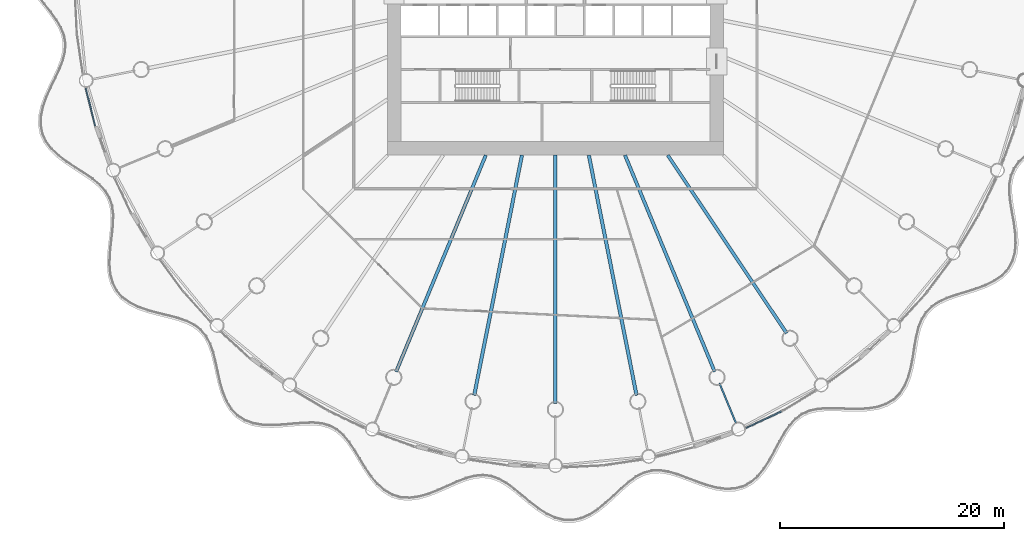
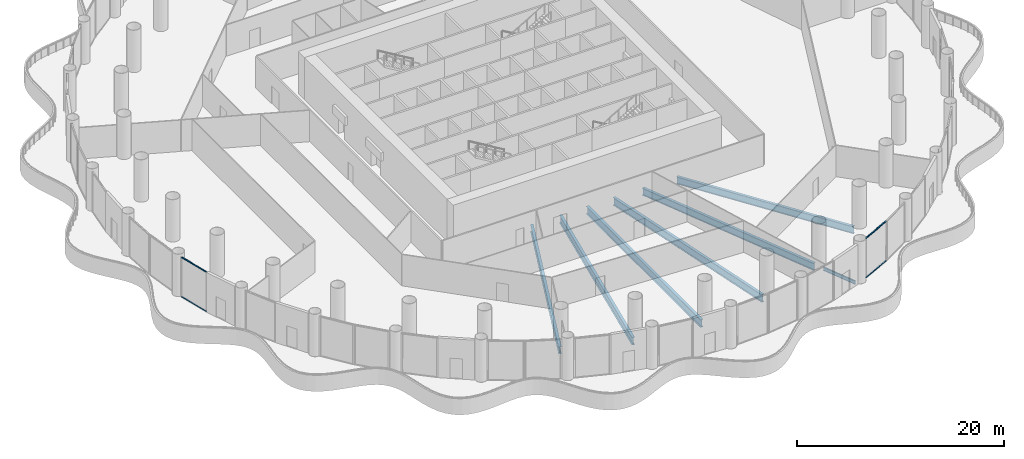
# One storey, part 6 of 35: 7 beams, 4 members, 2 elements without a shape of their own.
"""IFC4 building model written with IfcOpenShell, lengths in metres."""

from ifc_helpers import new_model, si_unit, direction, frame, origin, origin_2d, place, context, subcontext, project, spatial, rectangle, i_section, extrude, material, material_profile, profile_set, type_object, element, aggregate, save


model = new_model("IFC4")

# Units and contexts
model_context = context("Model", 3, precision=1e-05, world=origin(), true_north=direction((0.0, 1.0)))
body_context = subcontext(model_context, "Body", "Model", "MODEL_VIEW")
ifc_project = project(units=[si_unit("LENGTHUNIT", "METRE"), si_unit("AREAUNIT", "SQUARE_METRE"), si_unit("VOLUMEUNIT", "CUBIC_METRE"), si_unit("PLANEANGLEUNIT", "RADIAN"), si_unit("MASSUNIT", "GRAM", prefix="KILO")], contexts=[model_context])

# Site, building, storey
site_placement = place(None, origin())
site = spatial("IfcSite", under=ifc_project, at=site_placement, CompositionType="ELEMENT")
building_placement = place(site_placement, origin())
building = spatial("IfcBuilding", under=site, at=building_placement, Name="Corvane Civic Tower", CompositionType="ELEMENT")
storey_placement = place(building_placement, frame((0.0, 0.0, 27.0)))
storey = spatial("IfcBuildingStorey", under=building, at=storey_placement, Name="L05", CompositionType="ELEMENT", Elevation=27.0)

# Beams
ifc_material_1 = material(Name="Steel ASTM A992 Gr 50", Category="steel")
ifc_material_profile_1 = material_profile(ifc_material_1, i_section(OverallWidth=0.140380859375, OverallDepth=0.40380859375, WebThickness=0.007080078125, FlangeThickness=0.01123046875, at=origin_2d()), Name="W16X31")
ifc_profile_set_1 = profile_set([ifc_material_profile_1], Name="Steel ASTM A992 Gr 50")
beam_type_1 = type_object("IfcBeamType", Name="FLOOR GIRDER W16X31", PredefinedType="BEAM", material=ifc_profile_set_1)
beam_1_placement = place(storey_placement, frame((14.6376953125, -35.33837890625, -0.501953125), z_axis=(0.382685369162, -0.923878730261, 0.0), x_axis=(0.923878730261, 0.382685369162, 0.0)))
element("IfcBeam", 1, at=beam_1_placement, inside=storey, type_object=beam_type_1, Name="BM-L05-G15b", PredefinedType="BEAM", context=body_context, shape_type="SweptSolid", body=[
    extrude(i_section(OverallWidth=0.140380859375, OverallDepth=0.40380859375, WebThickness=0.007080078125, FlangeThickness=0.01123046875, at=origin_2d()), origin(), (0.0, 0.0, 1.0), 3.89990234375),
])
ifc_material_2 = material(Name="Steel ASTM A992 Gr 50", Category="steel")
ifc_material_profile_2 = material_profile(ifc_material_2, i_section(OverallWidth=0.2919921875, OverallDepth=0.845703125, WebThickness=0.015380859375, FlangeThickness=0.0244140625, at=origin_2d()), Name="W33X141")
ifc_profile_set_2 = profile_set([ifc_material_profile_2], Name="Steel ASTM A992 Gr 50")
beam_type_2 = type_object("IfcBeamType", Name="FLOOR GIRDER W33X141", PredefinedType="BEAM", material=ifc_profile_set_2)
beam_2_placement = place(storey_placement, frame((10.022705078125, -15.0, -0.722900390625), z_axis=(0.555566681385, -0.831471985418, 0.0), x_axis=(0.831471985418, 0.555566681385, 0.0)))
element("IfcBeam", 2, at=beam_2_placement, inside=storey, type_object=beam_type_2, Name="BM-L05-G14", PredefinedType="BEAM", context=body_context, shape_type="SweptSolid", body=[
    extrude(i_section(OverallWidth=0.2919921875, OverallDepth=0.845703125, WebThickness=0.015380859375, FlangeThickness=0.0244140625, at=origin_2d()), origin(), (0.0, 0.0, 1.0), 19.109619140625),
])
for number, where, z_axis, x_axis, name in (
    (3, (6.213134765625, -15.0, -0.722900390625), (0.382692360381, -0.923875834355, 0.0), (0.923875834355, 0.382692360381, 0.0), "BM-L05-G15"),
    (4, (-6.213134765625, -15.0, -0.722900390625), (-0.382692360381, -0.923875834355, 0.0), (0.923875834355, -0.382692360381, 0.0), "BM-L05-G19"),
):
    element("IfcBeam", number, at=place(storey_placement, frame(where, z_axis=z_axis, x_axis=x_axis)), inside=storey, type_object=beam_type_2, Name=name, PredefinedType="BEAM", context=body_context, shape_type="SweptSolid", body=[
        extrude(i_section(OverallWidth=0.2919921875, OverallDepth=0.845703125, WebThickness=0.015380859375, FlangeThickness=0.0244140625, at=origin_2d()), origin(), (0.0, 0.0, 1.0), 20.9140625),
    ])
ifc_material_3 = material(Name="Steel ASTM A992 Gr 50", Category="steel")
ifc_material_profile_3 = material_profile(ifc_material_3, i_section(OverallWidth=0.3046875, OverallDepth=0.911865234375, WebThickness=0.015869140625, FlangeThickness=0.02392578125, at=origin_2d()), Name="W36X150")
ifc_profile_set_3 = profile_set([ifc_material_profile_3], Name="Steel ASTM A992 Gr 50")
beam_type_3 = type_object("IfcBeamType", Name="FLOOR GIRDER W36X150", PredefinedType="BEAM", material=ifc_profile_set_3)
beam_3_placement = place(storey_placement, frame((2.983642578125, -15.0, -0.755859375), z_axis=(0.195089219638, -0.980785499679, 0.0), x_axis=(0.980785499679, 0.195089219638, 0.0)))
element("IfcBeam", 5, at=beam_3_placement, inside=storey, type_object=beam_type_3, Name="BM-L05-G16", PredefinedType="BEAM", context=body_context, shape_type="SweptSolid", body=[
    extrude(i_section(OverallWidth=0.3046875, OverallDepth=0.911865234375, WebThickness=0.015869140625, FlangeThickness=0.02392578125, at=origin_2d()), origin(), (0.0, 0.0, 1.0), 21.856201171875),
])
beam_4_placement = place(storey_placement, frame((0.0, -15.0, -0.755859375), z_axis=(0.0, -1.0, 0.0), x_axis=(1.0, 0.0, 0.0)))
element("IfcBeam", 6, at=beam_4_placement, inside=storey, type_object=beam_type_3, Name="BM-L05-G17", PredefinedType="BEAM", context=body_context, shape_type="SweptSolid", body=[
    extrude(i_section(OverallWidth=0.3046875, OverallDepth=0.911865234375, WebThickness=0.015869140625, FlangeThickness=0.02392578125, at=origin_2d()), origin(), (0.0, 0.0, 1.0), 22.14990234375),
])
beam_5_placement = place(storey_placement, frame((-2.983642578125, -15.0, -0.755859375), z_axis=(-0.195089219638, -0.980785499679, 0.0), x_axis=(0.980785499679, -0.195089219638, 0.0)))
element("IfcBeam", 7, at=beam_5_placement, inside=storey, type_object=beam_type_3, Name="BM-L05-G18", PredefinedType="BEAM", context=body_context, shape_type="SweptSolid", body=[
    extrude(i_section(OverallWidth=0.3046875, OverallDepth=0.911865234375, WebThickness=0.015869140625, FlangeThickness=0.02392578125, at=origin_2d()), origin(), (0.0, 0.0, 1.0), 21.856201171875),
])

# Curtain wall, members
ifc_material_4 = material(Name="Aluminium and glass", Category="aluminium")
curtain_wall_type = type_object("IfcCurtainWallType", Name="PODIUM-CW-P-RUN", PredefinedType="NOTDEFINED", material=ifc_material_4)
curtain_wall_1_placement = place(storey_placement, origin())
curtain_wall_1 = element("IfcCurtainWall", 8, at=curtain_wall_1_placement, inside=storey, type_object=curtain_wall_type, Name="PODI run L05-drum-14B", PredefinedType="NOTDEFINED")
ifc_material_5 = material(Name="Anodised aluminium bronze", Category="aluminium")
ifc_material_profile_4 = material_profile(ifc_material_5, rectangle(XDim=0.1201171875, YDim=0.06005859375, at=origin_2d()), Name="AL 120x60")
ifc_profile_set_4 = profile_set([ifc_material_profile_4], Name="Anodised aluminium bronze")
member_type = type_object("IfcMemberType", Name="PODIUM-CWP-TRANSOM-60x120", PredefinedType="USERDEFINED", material=ifc_profile_set_4)
member_1_placement = place(storey_placement, frame((20.1591796875, -37.87548828125, 0.030029296875), z_axis=(-0.903993431638, -0.427546343166, 0.0), x_axis=(0.427546343166, -0.903993431638, 0.0)))
member_1 = element("IfcMember", 9, at=member_1_placement, type_object=member_type, Name="CW-P transom 1.1", ObjectType="TRANSOM", PredefinedType="USERDEFINED", context=body_context, shape_type="SweptSolid", body=[
    extrude(rectangle(XDim=0.1201171875, YDim=0.06005859375, at=origin_2d()), origin(), (0.0, 0.0, 1.0), 3.4599609375),
])
member_2_placement = place(storey_placement, frame((20.1591796875, -37.87548828125, 4.669921875), z_axis=(-0.903993431638, -0.427546343166, 0.0), x_axis=(0.427546343166, -0.903993431638, 0.0)))
member_2 = element("IfcMember", 10, at=member_2_placement, type_object=member_type, Name="CW-P transom 1.2", ObjectType="TRANSOM", PredefinedType="USERDEFINED", context=body_context, shape_type="SweptSolid", body=[
    extrude(rectangle(XDim=0.1201171875, YDim=0.06005859375, at=origin_2d()), origin(), (0.0, 0.0, 1.0), 3.4599609375),
])
aggregate(curtain_wall_1, [member_1, member_2])

curtain_wall_2_placement = place(storey_placement, origin())
curtain_wall_2 = element("IfcCurtainWall", 11, at=curtain_wall_2_placement, inside=storey, type_object=curtain_wall_type, Name="PODI run L05-drum-23B", PredefinedType="NOTDEFINED")
member_3_placement = place(storey_placement, frame((-41.08056640625, -12.3828125, 0.030029296875), z_axis=(-0.243017080124, 0.970022009425, 0.0), x_axis=(-0.970022009425, -0.243017080124, 0.0)))
member_3 = element("IfcMember", 12, at=member_3_placement, type_object=member_type, Name="CW-P transom 1.1", ObjectType="TRANSOM", PredefinedType="USERDEFINED", context=body_context, shape_type="SweptSolid", body=[
    extrude(rectangle(XDim=0.1201171875, YDim=0.06005859375, at=origin_2d()), origin(), (0.0, 0.0, 1.0), 3.4599609375),
])
member_4_placement = place(storey_placement, frame((-41.08056640625, -12.3828125, 4.669921875), z_axis=(-0.243017080124, 0.970022009425, 0.0), x_axis=(-0.970022009425, -0.243017080124, 0.0)))
member_4 = element("IfcMember", 13, at=member_4_placement, type_object=member_type, Name="CW-P transom 1.2", ObjectType="TRANSOM", PredefinedType="USERDEFINED", context=body_context, shape_type="SweptSolid", body=[
    extrude(rectangle(XDim=0.1201171875, YDim=0.06005859375, at=origin_2d()), origin(), (0.0, 0.0, 1.0), 3.4599609375),
])
aggregate(curtain_wall_2, [member_3, member_4])

save(model, "model.ifc")
